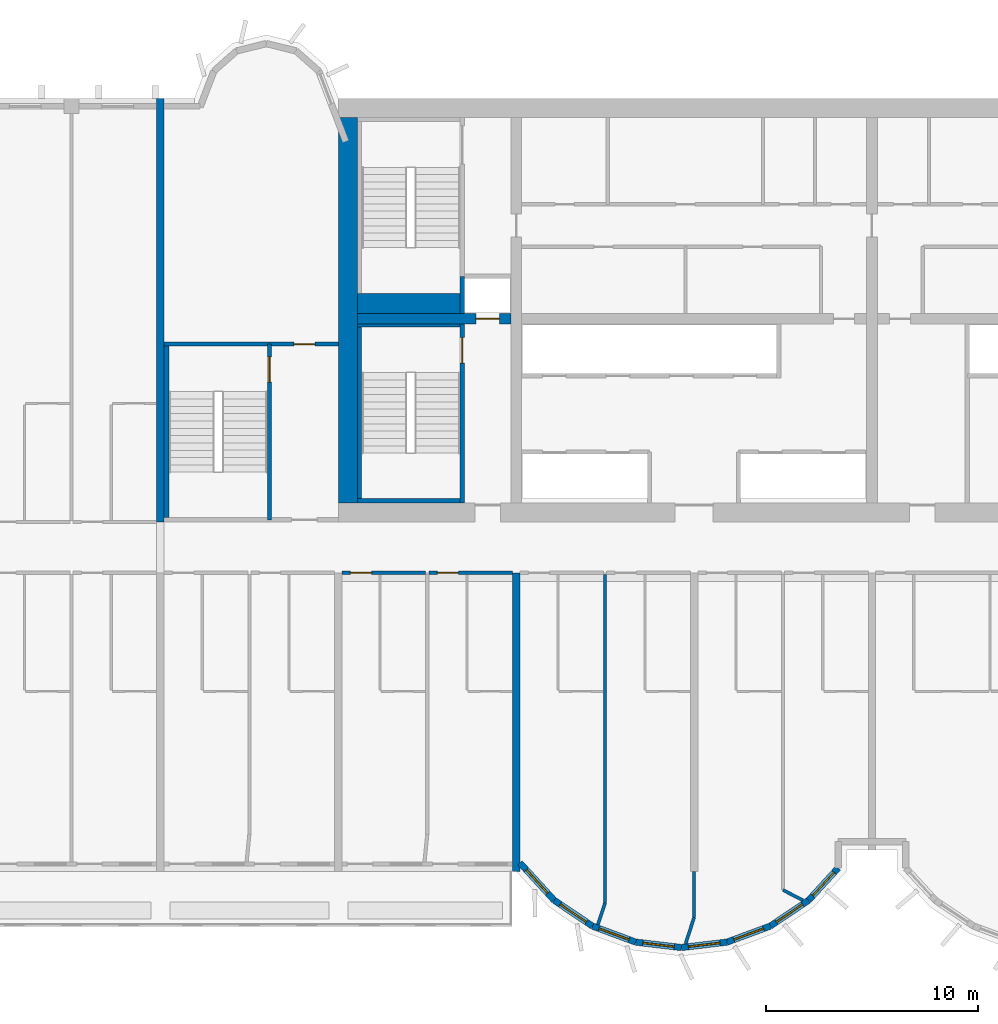
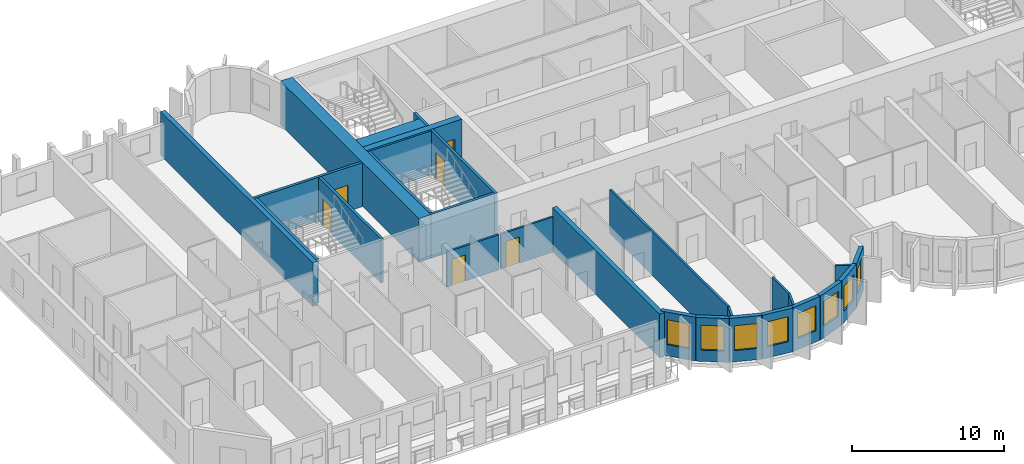
# One storey, part 4 of 14: 28 walls, 8 windows, 6 doors, 14 openings.
"""IFC4 building model written with IfcOpenShell, lengths in metres."""

from ifc_helpers import new_model, si_unit, direction, frame, frame_2d, origin, place, context, subcontext, project, spatial, rectangle, extrude, source, transform, mapped, material, layer, layer_set, type_object, element, fill, save


model = new_model("IFC4")

# Units and contexts
model_context = context("Model", 3, precision=1e-05, world=origin(), true_north=direction((0.0, 1.0)))
body_context = subcontext(model_context, "Body", "Model", "MODEL_VIEW")
ifc_project = project(units=[si_unit("LENGTHUNIT", "METRE"), si_unit("AREAUNIT", "SQUARE_METRE"), si_unit("VOLUMEUNIT", "CUBIC_METRE"), si_unit("PLANEANGLEUNIT", "RADIAN"), si_unit("MASSUNIT", "GRAM", prefix="KILO")], contexts=[model_context])

# Site, building, storey
site_placement = place(None, origin())
site = spatial("IfcSite", under=ifc_project, at=site_placement, CompositionType="ELEMENT")
building_placement = place(site_placement, origin())
building = spatial("IfcBuilding", under=site, at=building_placement, Name="Vanashikhar Sky Hotel", CompositionType="ELEMENT")
storey_placement = place(building_placement, frame((0.0, 0.0, 102.800048828125)))
storey = spatial("IfcBuildingStorey", under=building, at=storey_placement, Name="L24", CompositionType="ELEMENT", Elevation=102.800048828125)

# Wall
ifc_material_1 = material(Name="Concrete M70", Category="concrete")
ifc_layer_1 = layer(ifc_material_1, 0.89990234375)
ifc_layer_set_1 = layer_set([ifc_layer_1], Name="RC core shell wall 900 Concrete M70")
wall_type_1 = type_object("IfcWallType", Name="RC core shell wall 900 Concrete M70", PredefinedType="SHEAR", material=ifc_layer_set_1)
shared_shape_1 = source(origin(), body_context, "Body", "SweptSolid", [
    extrude(rectangle(XDim=18.2001953125, YDim=0.89990234375, at=frame_2d((9.10009765625, 0.0))), origin(), (0.0, 0.0, 1.0), 3.52001953125),
])
wall_1_placement = place(storey_placement, frame((25.64990234375, 22.89990234375, 0.0), z_axis=(0.0, 0.0, 1.0), x_axis=(0.0, 1.0, 0.0)))
element("IfcWall", 1, at=wall_1_placement, inside=storey, type_object=wall_type_1, Name="KW-L24-KW", PredefinedType="SHEAR", context=body_context, shape_type="MappedRepresentation", body=[
    mapped(shared_shape_1, transform((0.0, 0.0, 0.0), scale=1.0)),
])

# Wall, opening, door
ifc_layer_2 = layer(ifc_material_1, 0.5)
ifc_layer_set_2 = layer_set([ifc_layer_2], Name="RC core inner wall 500 Concrete M70")
wall_type_2 = type_object("IfcWallType", Name="RC core inner wall 500 Concrete M70", PredefinedType="SHEAR", material=ifc_layer_set_2)
shared_shape_2 = source(origin(), body_context, "Body", "SweptSolid", [
    extrude(rectangle(XDim=7.25, YDim=0.5, at=frame_2d((3.625, 0.0))), origin(), (0.0, 0.0, 1.0), 3.52001953125),
])
wall_2_placement = place(storey_placement, frame((26.10009765625, 31.60009765625, 0.0), z_axis=(0.0, 0.0, 1.0), x_axis=(1.0, 0.0, 0.0)))
wall_2 = element("IfcWall", 2, at=wall_2_placement, inside=storey, type_object=wall_type_2, Name="KW-L24-KY1", PredefinedType="SHEAR", context=body_context, shape_type="MappedRepresentation", body=[
    mapped(shared_shape_2, transform((0.0, 0.0, 0.0), scale=1.0)),
])
shared_shape_3 = source(origin(), body_context, "Body", "SweptSolid", [
    extrude(rectangle(XDim=1.10009765625, YDim=2.10009765625, at=frame_2d((0.550048828125, 1.050048828125))), frame((0.0, 0.260009765625, 0.0), z_axis=(0.0, -1.0, 0.0), x_axis=(1.0, 0.0, 0.0)), (0.0, 0.0, 1.0), 0.52001953125),
])
opening_1_placement = place(wall_2_placement, frame((5.60009765625, 0.0, 0.0)))
opening_1 = element("IfcOpeningElement", 3, at=opening_1_placement, cuts=wall_2, Name="Opening LD", PredefinedType="OPENING", context=body_context, shape_type="MappedRepresentation", body=[
    mapped(shared_shape_3, transform((0.0, 0.0, 0.0), scale=1.0)),
])
ifc_material_2 = material(Name="Stainless steel", Category="steel")
door_type_1 = type_object("IfcDoorType", Name="Lift landing door 1100", OperationType="NOTDEFINED", PredefinedType="DOOR", material=ifc_material_2)
shared_shape_4 = source(origin(), body_context, "Body", "SweptSolid", [
    extrude(rectangle(XDim=1.10009765625, YDim=2.10009765625, at=frame_2d((0.550048828125, 1.050048828125))), frame((0.0, 0.02490234375, 0.0), z_axis=(0.0, -1.0, 0.0), x_axis=(1.0, 0.0, 0.0)), (0.0, 0.0, 1.0), 0.050048828125),
])
door_1_placement = place(opening_1_placement, origin())
door_1 = element("IfcDoor", 4, at=door_1_placement, inside=storey, type_object=door_type_1, Name="Lift landing door 1100", OperationType="SLIDING_TO_RIGHT", OverallHeight=2.10009765625, OverallWidth=1.10009765625, PredefinedType="DOOR", context=body_context, shape_type="MappedRepresentation", body=[
    mapped(shared_shape_4, transform((0.0, 0.0, 0.0), scale=1.0)),
])
fill(opening_1, door_1)

# Walls
ifc_layer_3 = layer(ifc_material_1, 0.35009765625)
ifc_layer_set_3 = layer_set([ifc_layer_3], Name="RC shear wall 350 Concrete M70")
wall_type_3 = type_object("IfcWallType", Name="RC shear wall 350 Concrete M70", PredefinedType="SHEAR", material=ifc_layer_set_3)
shared_shape_5 = source(origin(), body_context, "Body", "SweptSolid", [
    extrude(rectangle(XDim=14.10009765625, YDim=0.35009765625, at=frame_2d((7.050048828125, 0.0))), origin(), (0.0, 0.0, 1.0), 3.52001953125),
])
wall_3_placement = place(storey_placement, frame((33.60009765625, 5.5, 0.0), z_axis=(0.0, 0.0, 1.0), x_axis=(0.0, 1.0, 0.0)))
element("IfcWall", 5, at=wall_3_placement, inside=storey, type_object=wall_type_3, Name="CW-L24-XW05-1", PredefinedType="SHEAR", context=body_context, shape_type="MappedRepresentation", body=[
    mapped(shared_shape_5, transform((0.0, 0.0, 0.0), scale=1.0)),
])
shared_shape_6 = source(origin(), body_context, "Body", "SweptSolid", [
    extrude(rectangle(XDim=20.0, YDim=0.35009765625, at=frame_2d((10.0, 0.0))), origin(), (0.0, 0.0, 1.0), 3.52001953125),
])
wall_4_placement = place(storey_placement, frame((16.800048828125, 22.0, 0.0), z_axis=(0.0, 0.0, 1.0), x_axis=(0.0, 1.0, 0.0)))
element("IfcWall", 6, at=wall_4_placement, inside=storey, type_object=wall_type_3, Name="CW-L24-XW03-2", PredefinedType="SHEAR", context=body_context, shape_type="MappedRepresentation", body=[
    mapped(shared_shape_6, transform((0.0, 0.0, 0.0), scale=1.0)),
])

# Wall, opening, window
ifc_material_3 = material(Name="Concrete M50", Category="concrete")
ifc_layer_4 = layer(ifc_material_3, 0.300048828125)
ifc_layer_set_4 = layer_set([ifc_layer_4], Name="Lobe wall 300")
wall_type_4 = type_object("IfcWallType", Name="Lobe wall 300", PredefinedType="SOLIDWALL", material=ifc_layer_set_4)
shared_shape_7 = source(origin(), body_context, "Body", "SweptSolid", [
    extrude(rectangle(XDim=2.398193359375, YDim=0.300048828125, at=frame_2d((1.19921875, 0.0))), origin(), (0.0, 0.0, 1.0), 3.52001953125),
])
wall_5_placement = place(storey_placement, frame((33.776123046875, 5.89990234375, 0.0), z_axis=(0.0, 0.0, 1.0), x_axis=(0.675374189419, -0.737475222815, 0.0)))
wall_5 = element("IfcWall", 7, at=wall_5_placement, inside=storey, type_object=wall_type_4, Name="Lobe wall", PredefinedType="SOLIDWALL", context=body_context, shape_type="MappedRepresentation", body=[
    mapped(shared_shape_7, transform((0.0, 0.0, 0.0), scale=1.0)),
])
shared_shape_8 = source(origin(), body_context, "Body", "SweptSolid", [
    extrude(rectangle(XDim=1.5, YDim=2.0, at=frame_2d((0.75, 1.0))), frame((0.0, 0.16015625, 0.0), z_axis=(0.0, -1.0, 0.0), x_axis=(1.0, 0.0, 0.0)), (0.0, 0.0, 1.0), 0.320068359375),
])
opening_2_placement = place(wall_5_placement, frame((0.44921875, 0.0, 0.89990234375)))
opening_2 = element("IfcOpeningElement", 8, at=opening_2_placement, cuts=wall_5, Name="Opening WN-2", PredefinedType="OPENING", context=body_context, shape_type="MappedRepresentation", body=[
    mapped(shared_shape_8, transform((0.0, 0.0, 0.0), scale=1.0)),
])
ifc_material_4 = material(Name="Glass", Category="glass")
window_type = type_object("IfcWindowType", Name="Lobe window 1500 x 2000", PartitioningType="SINGLE_PANEL", PredefinedType="WINDOW", material=ifc_material_4)
shared_shape_9 = source(origin(), body_context, "Body", "SweptSolid", [
    extrude(rectangle(XDim=1.5, YDim=2.0, at=frame_2d((0.75, 1.0))), frame((0.0, 0.030029296875, 0.0), z_axis=(0.0, -1.0, 0.0), x_axis=(1.0, 0.0, 0.0)), (0.0, 0.0, 1.0), 0.06005859375),
])
window_1_placement = place(opening_2_placement, origin())
window_1 = element("IfcWindow", 9, at=window_1_placement, inside=storey, type_object=window_type, Name="Window WN-2", OverallHeight=2.0, OverallWidth=1.5, PartitioningType="SINGLE_PANEL", PredefinedType="WINDOW", context=body_context, shape_type="MappedRepresentation", body=[
    mapped(shared_shape_9, transform((0.0, 0.0, 0.0), scale=1.0)),
])
fill(opening_2, window_1)

shared_shape_10 = source(origin(), body_context, "Body", "SweptSolid", [
    extrude(rectangle(XDim=2.17578125, YDim=0.300048828125, at=frame_2d((1.087890625, 0.0))), origin(), (0.0, 0.0, 1.0), 3.52001953125),
])
wall_6_placement = place(storey_placement, frame((35.395751953125, 4.13134765625, 0.0), z_axis=(0.0, 0.0, 1.0), x_axis=(0.829590746428, -0.558371913192, 0.0)))
wall_6 = element("IfcWall", 10, at=wall_6_placement, inside=storey, type_object=wall_type_4, Name="Lobe wall", PredefinedType="SOLIDWALL", context=body_context, shape_type="MappedRepresentation", body=[
    mapped(shared_shape_10, transform((0.0, 0.0, 0.0), scale=1.0)),
])
opening_3_placement = place(wall_6_placement, frame((0.337890625, 0.0, 0.89990234375)))
opening_3 = element("IfcOpeningElement", 11, at=opening_3_placement, cuts=wall_6, Name="Opening WN-2", PredefinedType="OPENING", context=body_context, shape_type="MappedRepresentation", body=[
    mapped(shared_shape_8, transform((0.0, 0.0, 0.0), scale=1.0)),
])
window_2_placement = place(opening_3_placement, origin())
window_2 = element("IfcWindow", 12, at=window_2_placement, inside=storey, type_object=window_type, Name="Window WN-2", OverallHeight=2.0, OverallWidth=1.5, PartitioningType="SINGLE_PANEL", PredefinedType="WINDOW", context=body_context, shape_type="MappedRepresentation", body=[
    mapped(shared_shape_9, transform((0.0, 0.0, 0.0), scale=1.0)),
])
fill(opening_3, window_2)

wall_7_placement = place(storey_placement, frame((37.20068359375, 2.91650390625, 0.0), z_axis=(0.0, 0.0, 1.0), x_axis=(0.93754555999, -0.347862505801, 0.0)))
wall_7 = element("IfcWall", 13, at=wall_7_placement, inside=storey, type_object=wall_type_4, Name="Lobe wall", PredefinedType="SOLIDWALL", context=body_context, shape_type="MappedRepresentation", body=[
    mapped(shared_shape_10, transform((0.0, 0.0, 0.0), scale=1.0)),
])
opening_4_placement = place(wall_7_placement, frame((0.337890625, 0.0, 0.89990234375)))
opening_4 = element("IfcOpeningElement", 14, at=opening_4_placement, cuts=wall_7, Name="Opening WN-2", PredefinedType="OPENING", context=body_context, shape_type="MappedRepresentation", body=[
    mapped(shared_shape_8, transform((0.0, 0.0, 0.0), scale=1.0)),
])
window_3_placement = place(opening_4_placement, origin())
window_3 = element("IfcWindow", 15, at=window_3_placement, inside=storey, type_object=window_type, Name="Window WN-2", OverallHeight=2.0, OverallWidth=1.5, PartitioningType="SINGLE_PANEL", PredefinedType="WINDOW", context=body_context, shape_type="MappedRepresentation", body=[
    mapped(shared_shape_9, transform((0.0, 0.0, 0.0), scale=1.0)),
])
fill(opening_4, window_3)

wall_8_placement = place(storey_placement, frame((45.59912109375, 2.91650390625, 0.0), z_axis=(0.0, 0.0, 1.0), x_axis=(0.829625727223, 0.558319937607, 0.0)))
wall_8 = element("IfcWall", 16, at=wall_8_placement, inside=storey, type_object=wall_type_4, Name="Lobe wall", PredefinedType="SOLIDWALL", context=body_context, shape_type="MappedRepresentation", body=[
    mapped(shared_shape_10, transform((0.0, 0.0, 0.0), scale=1.0)),
])
opening_5_placement = place(wall_8_placement, frame((0.337890625, 0.0, 0.89990234375)))
opening_5 = element("IfcOpeningElement", 17, at=opening_5_placement, cuts=wall_8, Name="Opening WN-2", PredefinedType="OPENING", context=body_context, shape_type="MappedRepresentation", body=[
    mapped(shared_shape_8, transform((0.0, 0.0, 0.0), scale=1.0)),
])
window_4_placement = place(opening_5_placement, origin())
window_4 = element("IfcWindow", 18, at=window_4_placement, inside=storey, type_object=window_type, Name="Window WN-2", OverallHeight=2.0, OverallWidth=1.5, PartitioningType="SINGLE_PANEL", PredefinedType="WINDOW", context=body_context, shape_type="MappedRepresentation", body=[
    mapped(shared_shape_9, transform((0.0, 0.0, 0.0), scale=1.0)),
])
fill(opening_5, window_4)

shared_shape_11 = source(origin(), body_context, "Body", "SweptSolid", [
    extrude(rectangle(XDim=2.174560546875, YDim=0.300048828125, at=frame_2d((1.08740234375, 0.0))), origin(), (0.0, 0.0, 1.0), 3.52001953125),
])
wall_9_placement = place(storey_placement, frame((39.240478515625, 2.15966796875, 0.0), z_axis=(0.0, 0.0, 1.0), x_axis=(0.993001132889, -0.118104826659, 0.0)))
wall_9 = element("IfcWall", 19, at=wall_9_placement, inside=storey, type_object=wall_type_4, Name="Lobe wall", PredefinedType="SOLIDWALL", context=body_context, shape_type="MappedRepresentation", body=[
    mapped(shared_shape_11, transform((0.0, 0.0, 0.0), scale=1.0)),
])
opening_6_placement = place(wall_9_placement, frame((0.33740234375, 0.0, 0.89990234375)))
opening_6 = element("IfcOpeningElement", 20, at=opening_6_placement, cuts=wall_9, Name="Opening WN-2", PredefinedType="OPENING", context=body_context, shape_type="MappedRepresentation", body=[
    mapped(shared_shape_8, transform((0.0, 0.0, 0.0), scale=1.0)),
])
window_5_placement = place(opening_6_placement, origin())
window_5 = element("IfcWindow", 21, at=window_5_placement, inside=storey, type_object=window_type, Name="Window WN-2", OverallHeight=2.0, OverallWidth=1.5, PartitioningType="SINGLE_PANEL", PredefinedType="WINDOW", context=body_context, shape_type="MappedRepresentation", body=[
    mapped(shared_shape_9, transform((0.0, 0.0, 0.0), scale=1.0)),
])
fill(opening_6, window_5)

shared_shape_12 = source(origin(), body_context, "Body", "SweptSolid", [
    extrude(rectangle(XDim=2.1748046875, YDim=0.300048828125, at=frame_2d((1.08740234375, 0.0))), origin(), (0.0, 0.0, 1.0), 3.52001953125),
])
wall_10_placement = place(storey_placement, frame((41.39990234375, 1.90283203125, 0.0), z_axis=(0.0, 0.0, 1.0), x_axis=(0.993002698611, 0.118091661648, 0.0)))
wall_10 = element("IfcWall", 22, at=wall_10_placement, inside=storey, type_object=wall_type_4, Name="Lobe wall", PredefinedType="SOLIDWALL", context=body_context, shape_type="MappedRepresentation", body=[
    mapped(shared_shape_12, transform((0.0, 0.0, 0.0), scale=1.0)),
])
opening_7_placement = place(wall_10_placement, frame((0.33740234375, 0.0, 0.89990234375)))
opening_7 = element("IfcOpeningElement", 23, at=opening_7_placement, cuts=wall_10, Name="Opening WN-2", PredefinedType="OPENING", context=body_context, shape_type="MappedRepresentation", body=[
    mapped(shared_shape_8, transform((0.0, 0.0, 0.0), scale=1.0)),
])
window_6_placement = place(opening_7_placement, origin())
window_6 = element("IfcWindow", 24, at=window_6_placement, inside=storey, type_object=window_type, Name="Window WN-2", OverallHeight=2.0, OverallWidth=1.5, PartitioningType="SINGLE_PANEL", PredefinedType="WINDOW", context=body_context, shape_type="MappedRepresentation", body=[
    mapped(shared_shape_9, transform((0.0, 0.0, 0.0), scale=1.0)),
])
fill(opening_7, window_6)

shared_shape_13 = source(origin(), body_context, "Body", "SweptSolid", [
    extrude(rectangle(XDim=2.175537109375, YDim=0.300048828125, at=frame_2d((1.087890625, 0.0))), origin(), (0.0, 0.0, 1.0), 3.52001953125),
])
wall_11_placement = place(storey_placement, frame((43.5595703125, 2.15966796875, 0.0), z_axis=(0.0, 0.0, 1.0), x_axis=(0.937531979054, 0.347899106424, 0.0)))
wall_11 = element("IfcWall", 25, at=wall_11_placement, inside=storey, type_object=wall_type_4, Name="Lobe wall", PredefinedType="SOLIDWALL", context=body_context, shape_type="MappedRepresentation", body=[
    mapped(shared_shape_13, transform((0.0, 0.0, 0.0), scale=1.0)),
])
opening_8_placement = place(wall_11_placement, frame((0.337890625, 0.0, 0.89990234375)))
opening_8 = element("IfcOpeningElement", 26, at=opening_8_placement, cuts=wall_11, Name="Opening WN-2", PredefinedType="OPENING", context=body_context, shape_type="MappedRepresentation", body=[
    mapped(shared_shape_8, transform((0.0, 0.0, 0.0), scale=1.0)),
])
window_7_placement = place(opening_8_placement, origin())
window_7 = element("IfcWindow", 27, at=window_7_placement, inside=storey, type_object=window_type, Name="Window WN-2", OverallHeight=2.0, OverallWidth=1.5, PartitioningType="SINGLE_PANEL", PredefinedType="WINDOW", context=body_context, shape_type="MappedRepresentation", body=[
    mapped(shared_shape_9, transform((0.0, 0.0, 0.0), scale=1.0)),
])
fill(opening_8, window_7)

shared_shape_14 = source(origin(), body_context, "Body", "SweptSolid", [
    extrude(rectangle(XDim=2.066650390625, YDim=0.300048828125, at=frame_2d((1.033203125, 0.0))), origin(), (0.0, 0.0, 1.0), 3.52001953125),
])
wall_12_placement = place(storey_placement, frame((47.404296875, 4.13134765625, 0.0), z_axis=(0.0, 0.0, 1.0), x_axis=(0.675355439877, 0.737492393065, 0.0)))
wall_12 = element("IfcWall", 28, at=wall_12_placement, inside=storey, type_object=wall_type_4, Name="Lobe wall", PredefinedType="SOLIDWALL", context=body_context, shape_type="MappedRepresentation", body=[
    mapped(shared_shape_14, transform((0.0, 0.0, 0.0), scale=1.0)),
])
opening_9_placement = place(wall_12_placement, frame((0.283447265625, 0.0, 0.89990234375)))
opening_9 = element("IfcOpeningElement", 29, at=opening_9_placement, cuts=wall_12, Name="Opening WN-2", PredefinedType="OPENING", context=body_context, shape_type="MappedRepresentation", body=[
    mapped(shared_shape_8, transform((0.0, 0.0, 0.0), scale=1.0)),
])
window_8_placement = place(opening_9_placement, origin())
window_8 = element("IfcWindow", 30, at=window_8_placement, inside=storey, type_object=window_type, Name="Window WN-2", OverallHeight=2.0, OverallWidth=1.5, PartitioningType="SINGLE_PANEL", PredefinedType="WINDOW", context=body_context, shape_type="MappedRepresentation", body=[
    mapped(shared_shape_9, transform((0.0, 0.0, 0.0), scale=1.0)),
])
fill(opening_9, window_8)

# Wall, opening, door
ifc_layer_5 = layer(ifc_material_3, 0.199951171875)
ifc_layer_set_5 = layer_set([ifc_layer_5], Name="Stair wall 200")
wall_type_5 = type_object("IfcWallType", Name="Stair wall 200", PredefinedType="SOLIDWALL", material=ifc_layer_set_5)
shared_shape_15 = source(origin(), body_context, "Body", "SweptSolid", [
    extrude(rectangle(XDim=8.2998046875, YDim=0.199951171875, at=frame_2d((4.14990234375, 0.0))), origin(), (0.0, 0.0, 1.0), 3.52001953125),
])
wall_13_placement = place(storey_placement, frame((21.949951171875, 22.10009765625, 0.0), z_axis=(0.0, 0.0, 1.0), x_axis=(0.0, 1.0, 0.0)))
wall_13 = element("IfcWall", 31, at=wall_13_placement, inside=storey, type_object=wall_type_5, Name="Stair wall 200", PredefinedType="SOLIDWALL", context=body_context, shape_type="MappedRepresentation", body=[
    mapped(shared_shape_15, transform((0.0, 0.0, 0.0), scale=1.0)),
])
shared_shape_16 = source(origin(), body_context, "Body", "SweptSolid", [
    extrude(rectangle(XDim=1.199951171875, YDim=2.10009765625, at=frame_2d((0.60009765625, 1.050048828125))), frame((0.0, 0.10986328125, 0.0), z_axis=(0.0, -1.0, 0.0), x_axis=(1.0, 0.0, 0.0)), (0.0, 0.0, 1.0), 0.219970703125),
])
opening_10_placement = place(wall_13_placement, frame((6.5, 0.0, 0.0)))
opening_10 = element("IfcOpeningElement", 32, at=opening_10_placement, cuts=wall_13, Name="Opening DC-1", PredefinedType="OPENING", context=body_context, shape_type="MappedRepresentation", body=[
    mapped(shared_shape_16, transform((0.0, 0.0, 0.0), scale=1.0)),
])
ifc_material_5 = material(Name="Steel", Category="steel")
door_type_2 = type_object("IfcDoorType", Name="Stair door 1200 FD120", OperationType="NOTDEFINED", PredefinedType="DOOR", material=ifc_material_5)
shared_shape_17 = source(origin(), body_context, "Body", "SweptSolid", [
    extrude(rectangle(XDim=1.199951171875, YDim=2.10009765625, at=frame_2d((0.60009765625, 1.050048828125))), frame((0.0, 0.02490234375, 0.0), z_axis=(0.0, -1.0, 0.0), x_axis=(1.0, 0.0, 0.0)), (0.0, 0.0, 1.0), 0.050048828125),
])
door_2_placement = place(opening_10_placement, origin())
door_2 = element("IfcDoor", 33, at=door_2_placement, inside=storey, type_object=door_type_2, Name="Stair door 1200 FD120", OperationType="SINGLE_SWING_LEFT", OverallHeight=2.10009765625, OverallWidth=1.199951171875, PredefinedType="DOOR", context=body_context, shape_type="MappedRepresentation", body=[
    mapped(shared_shape_17, transform((0.0, 0.0, 0.0), scale=1.0)),
])
fill(opening_10, door_2)

shared_shape_18 = source(origin(), body_context, "Body", "SweptSolid", [
    extrude(rectangle(XDim=8.4501953125, YDim=0.199951171875, at=frame_2d((4.22509765625, 0.0))), origin(), (0.0, 0.0, 1.0), 3.52001953125),
])
wall_14_placement = place(storey_placement, frame((31.050048828125, 22.89990234375, 0.0), z_axis=(0.0, 0.0, 1.0), x_axis=(0.0, 1.0, 0.0)))
wall_14 = element("IfcWall", 34, at=wall_14_placement, inside=storey, type_object=wall_type_5, Name="Stair wall 200", PredefinedType="SOLIDWALL", context=body_context, shape_type="MappedRepresentation", body=[
    mapped(shared_shape_18, transform((0.0, 0.0, 0.0), scale=1.0)),
])
opening_11_placement = place(wall_14_placement, frame((6.60009765625, 0.0, 0.0)))
opening_11 = element("IfcOpeningElement", 35, at=opening_11_placement, cuts=wall_14, Name="Opening DC-1", PredefinedType="OPENING", context=body_context, shape_type="MappedRepresentation", body=[
    mapped(shared_shape_16, transform((0.0, 0.0, 0.0), scale=1.0)),
])
door_3_placement = place(opening_11_placement, origin())
door_3 = element("IfcDoor", 36, at=door_3_placement, inside=storey, type_object=door_type_2, Name="Stair door 1200 FD120", OperationType="SINGLE_SWING_LEFT", OverallHeight=2.10009765625, OverallWidth=1.199951171875, PredefinedType="DOOR", context=body_context, shape_type="MappedRepresentation", body=[
    mapped(shared_shape_17, transform((0.0, 0.0, 0.0), scale=1.0)),
])
fill(opening_11, door_3)

# Wall
ifc_material_6 = material(Name="Concrete M40", Category="concrete")
ifc_layer_6 = layer(ifc_material_6, 0.199951171875)
ifc_layer_set_6 = layer_set([ifc_layer_6], Name="Shaft wall 200")
wall_type_6 = type_object("IfcWallType", Name="Shaft wall 200", PredefinedType="SOLIDWALL", material=ifc_layer_set_6)
shared_shape_19 = source(origin(), body_context, "Body", "SweptSolid", [
    extrude(rectangle(XDim=1.75, YDim=0.199951171875, at=frame_2d((0.875, 0.0))), origin(), (0.0, 0.0, 1.0), 3.52001953125),
])
wall_15_placement = place(storey_placement, frame((31.050048828125, 31.85009765625, 0.0), z_axis=(0.0, 0.0, 1.0), x_axis=(0.0, 1.0, 0.0)))
element("IfcWall", 37, at=wall_15_placement, inside=storey, type_object=wall_type_6, Name="Shaft wall 200", PredefinedType="SOLIDWALL", context=body_context, shape_type="MappedRepresentation", body=[
    mapped(shared_shape_19, transform((0.0, 0.0, 0.0), scale=1.0)),
])

# Wall, opening, door
shared_shape_20 = source(origin(), body_context, "Body", "SweptSolid", [
    extrude(rectangle(XDim=8.224853515625, YDim=0.199951171875, at=frame_2d((4.1123046875, 0.0))), origin(), (0.0, 0.0, 1.0), 3.52001953125),
])
wall_16_placement = place(storey_placement, frame((16.97509765625, 30.39990234375, 0.0), z_axis=(0.0, 0.0, 1.0), x_axis=(1.0, 0.0, 0.0)))
wall_16 = element("IfcWall", 38, at=wall_16_placement, inside=storey, type_object=wall_type_5, Name="Stair wall 200", PredefinedType="SOLIDWALL", context=body_context, shape_type="MappedRepresentation", body=[
    mapped(shared_shape_20, transform((0.0, 0.0, 0.0), scale=1.0)),
])
shared_shape_21 = source(origin(), body_context, "Body", "SweptSolid", [
    extrude(rectangle(XDim=1.0, YDim=2.10009765625, at=frame_2d((0.5, 1.050048828125))), frame((0.0, 0.10986328125, 0.0), z_axis=(0.0, -1.0, 0.0), x_axis=(1.0, 0.0, 0.0)), (0.0, 0.0, 1.0), 0.219970703125),
])
opening_12_placement = place(wall_16_placement, frame((6.125, 0.0, 0.0)))
opening_12 = element("IfcOpeningElement", 39, at=opening_12_placement, cuts=wall_16, Name="Opening DC-6", PredefinedType="OPENING", context=body_context, shape_type="MappedRepresentation", body=[
    mapped(shared_shape_21, transform((0.0, 0.0, 0.0), scale=1.0)),
])
door_type_3 = type_object("IfcDoorType", Name="Pocket door 1000 FD60", OperationType="NOTDEFINED", PredefinedType="DOOR", material=ifc_material_5)
shared_shape_22 = source(origin(), body_context, "Body", "SweptSolid", [
    extrude(rectangle(XDim=1.0, YDim=2.10009765625, at=frame_2d((0.5, 1.050048828125))), frame((0.0, 0.02490234375, 0.0), z_axis=(0.0, -1.0, 0.0), x_axis=(1.0, 0.0, 0.0)), (0.0, 0.0, 1.0), 0.050048828125),
])
door_4_placement = place(opening_12_placement, origin())
door_4 = element("IfcDoor", 40, at=door_4_placement, inside=storey, type_object=door_type_3, Name="Pocket door 1000 FD60", OperationType="SINGLE_SWING_LEFT", OverallHeight=2.10009765625, OverallWidth=1.0, PredefinedType="DOOR", context=body_context, shape_type="MappedRepresentation", body=[
    mapped(shared_shape_22, transform((0.0, 0.0, 0.0), scale=1.0)),
])
fill(opening_12, door_4)

# Walls
ifc_layer_7 = layer(ifc_material_3, 0.199951171875)
ifc_layer_set_7 = layer_set([ifc_layer_7], Name="Stair infill wall 200")
wall_type_7 = type_object("IfcWallType", Name="Stair infill wall 200", PredefinedType="SOLIDWALL", material=ifc_layer_set_7)
shared_shape_23 = source(origin(), body_context, "Body", "SweptSolid", [
    extrude(rectangle(XDim=4.849853515625, YDim=0.199951171875, at=frame_2d((2.4248046875, 0.0))), origin(), (0.0, 0.0, 1.0), 3.52001953125),
])
wall_17_placement = place(storey_placement, frame((26.10009765625, 23.0, 0.0), z_axis=(0.0, 0.0, 1.0), x_axis=(1.0, 0.0, 0.0)))
element("IfcWall", 41, at=wall_17_placement, inside=storey, type_object=wall_type_7, Name="Stair infill wall 200", PredefinedType="SOLIDWALL", context=body_context, shape_type="MappedRepresentation", body=[
    mapped(shared_shape_23, transform((0.0, 0.0, 0.0), scale=1.0)),
])
ifc_layer_8 = layer(ifc_material_3, 0.14990234375)
ifc_layer_set_8 = layer_set([ifc_layer_8], Name="Stair infill wall 150")
wall_type_8 = type_object("IfcWallType", Name="Stair infill wall 150", PredefinedType="SOLIDWALL", material=ifc_layer_set_8)
shared_shape_24 = source(origin(), body_context, "Body", "SweptSolid", [
    extrude(rectangle(XDim=4.849853515625, YDim=0.14990234375, at=frame_2d((2.4248046875, 0.0))), origin(), (0.0, 0.0, 1.0), 3.52001953125),
])
wall_18_placement = place(storey_placement, frame((26.10009765625, 31.27490234375, 0.0), z_axis=(0.0, 0.0, 1.0), x_axis=(1.0, 0.0, 0.0)))
element("IfcWall", 42, at=wall_18_placement, inside=storey, type_object=wall_type_8, Name="Stair infill wall 150", PredefinedType="SOLIDWALL", context=body_context, shape_type="MappedRepresentation", body=[
    mapped(shared_shape_24, transform((0.0, 0.0, 0.0), scale=1.0)),
])
shared_shape_25 = source(origin(), body_context, "Body", "SweptSolid", [
    extrude(rectangle(XDim=8.099853515625, YDim=0.199951171875, at=frame_2d((4.0498046875, 0.0))), origin(), (0.0, 0.0, 1.0), 3.52001953125),
])
wall_19_placement = place(storey_placement, frame((26.199951171875, 23.10009765625, 0.0), z_axis=(0.0, 0.0, 1.0), x_axis=(0.0, 1.0, 0.0)))
element("IfcWall", 43, at=wall_19_placement, inside=storey, type_object=wall_type_7, Name="Stair infill wall 200", PredefinedType="SOLIDWALL", context=body_context, shape_type="MappedRepresentation", body=[
    mapped(shared_shape_25, transform((0.0, 0.0, 0.0), scale=1.0)),
])
ifc_layer_9 = layer(ifc_material_3, 0.22509765625)
ifc_layer_set_9 = layer_set([ifc_layer_9], Name="Stair infill wall 225")
wall_type_9 = type_object("IfcWallType", Name="Stair infill wall 225", PredefinedType="SOLIDWALL", material=ifc_layer_set_9)
shared_shape_26 = source(origin(), body_context, "Body", "SweptSolid", [
    extrude(rectangle(XDim=8.10009765625, YDim=0.22509765625, at=frame_2d((4.050048828125, 0.0))), origin(), (0.0, 0.0, 1.0), 3.52001953125),
])
wall_20_placement = place(storey_placement, frame((17.0869140625, 22.199951171875, 0.0), z_axis=(0.0, 0.0, 1.0), x_axis=(0.0, 1.0, 0.0)))
element("IfcWall", 44, at=wall_20_placement, inside=storey, type_object=wall_type_9, Name="Stair infill wall 225", PredefinedType="SOLIDWALL", context=body_context, shape_type="MappedRepresentation", body=[
    mapped(shared_shape_26, transform((0.0, 0.0, 0.0), scale=1.0)),
])
ifc_layer_10 = layer(ifc_material_3, 0.949951171875)
ifc_layer_set_10 = layer_set([ifc_layer_10], Name="Stair infill wall 950")
wall_type_10 = type_object("IfcWallType", Name="Stair infill wall 950", PredefinedType="SOLIDWALL", material=ifc_layer_set_10)
shared_shape_27 = source(origin(), body_context, "Body", "SweptSolid", [
    extrude(rectangle(XDim=4.849853515625, YDim=0.949951171875, at=frame_2d((2.4248046875, 0.0))), origin(), (0.0, 0.0, 1.0), 3.52001953125),
])
wall_21_placement = place(storey_placement, frame((26.10009765625, 32.324951171875, 0.0), z_axis=(0.0, 0.0, 1.0), x_axis=(1.0, 0.0, 0.0)))
element("IfcWall", 45, at=wall_21_placement, inside=storey, type_object=wall_type_10, Name="Stair infill wall 950", PredefinedType="SOLIDWALL", context=body_context, shape_type="MappedRepresentation", body=[
    mapped(shared_shape_27, transform((0.0, 0.0, 0.0), scale=1.0)),
])
ifc_material_7 = material(Name="Gypsum plasterboard partition")
ifc_layer_11 = layer(ifc_material_7, 0.14990234375)
ifc_layer_set_11 = layer_set([ifc_layer_11], Name="Corridor and demising partition 150")
wall_type_11 = type_object("IfcWallType", Name="Corridor and demising partition 150", PredefinedType="PARTITIONING", material=ifc_layer_set_11)
shared_shape_28 = source(origin(), body_context, "Body", "SweptSolid", [
    extrude(rectangle(XDim=2.177978515625, YDim=0.14990234375, at=frame_2d((1.0888671875, 0.0))), origin(), (0.0, 0.0, 1.0), 3.52001953125),
])
wall_22_placement = place(storey_placement, frame((42.0, 3.322021484375, 0.0), z_axis=(0.0, 0.0, 1.0), x_axis=(0.0, 1.0, 0.0)))
element("IfcWall", 46, at=wall_22_placement, inside=storey, type_object=wall_type_11, Name="W-L24-PW079", PredefinedType="PARTITIONING", context=body_context, shape_type="MappedRepresentation", body=[
    mapped(shared_shape_28, transform((0.0, 0.0, 0.0), scale=1.0)),
])
shared_shape_29 = source(origin(), body_context, "Body", "SweptSolid", [
    extrude(rectangle(XDim=1.100830078125, YDim=0.14990234375, at=frame_2d((0.55029296875, 0.0))), origin(), (0.0, 0.0, 1.0), 3.52001953125),
])
wall_23_placement = place(storey_placement, frame((37.45703125, 2.98095703125, 0.0), z_axis=(0.0, 0.0, 1.0), x_axis=(0.311567081539, 0.950224159712, 0.0)))
element("IfcWall", 47, at=wall_23_placement, inside=storey, type_object=wall_type_11, Name="W-L24-PW035B0", PredefinedType="PARTITIONING", context=body_context, shape_type="MappedRepresentation", body=[
    mapped(shared_shape_29, transform((0.0, 0.0, 0.0), scale=1.0)),
])
shared_shape_30 = source(origin(), body_context, "Body", "SweptSolid", [
    extrude(rectangle(XDim=1.0576171875, YDim=0.14990234375, at=frame_2d((0.52880859375, 0.0))), origin(), (0.0, 0.0, 1.0), 3.52001953125),
])
wall_24_placement = place(storey_placement, frame((47.139892578125, 4.134033203125, 0.0), z_axis=(0.0, 0.0, 1.0), x_axis=(-0.888723819054, 0.458442988218, 0.0)))
element("IfcWall", 48, at=wall_24_placement, inside=storey, type_object=wall_type_11, Name="W-L24-PW042B0", PredefinedType="PARTITIONING", context=body_context, shape_type="MappedRepresentation", body=[
    mapped(shared_shape_30, transform((0.0, 0.0, 0.0), scale=1.0)),
])
shared_shape_31 = source(origin(), body_context, "Body", "SweptSolid", [
    extrude(rectangle(XDim=1.308349609375, YDim=0.14990234375, at=frame_2d((0.654296875, 0.0))), origin(), (0.0, 0.0, 1.0), 3.52001953125),
])
wall_25_placement = place(storey_placement, frame((41.597900390625, 2.076904296875, 0.0), z_axis=(0.0, 0.0, 1.0), x_axis=(0.307313512187, 0.951608325535, 0.0)))
element("IfcWall", 49, at=wall_25_placement, inside=storey, type_object=wall_type_11, Name="W-L24-PW079B0", PredefinedType="PARTITIONING", context=body_context, shape_type="MappedRepresentation", body=[
    mapped(shared_shape_31, transform((0.0, 0.0, 0.0), scale=1.0)),
])

# Wall, opening, door
shared_shape_32 = source(origin(), body_context, "Body", "SweptSolid", [
    extrude(rectangle(XDim=3.949951171875, YDim=0.14990234375, at=frame_2d((1.97509765625, 0.0))), origin(), (0.0, 0.0, 1.0), 2.820068359375),
])
wall_26_placement = place(storey_placement, frame((25.375, 19.60009765625, 0.0), z_axis=(0.0, 0.0, 1.0), x_axis=(1.0, 0.0, 0.0)))
wall_26 = element("IfcWall", 50, at=wall_26_placement, inside=storey, type_object=wall_type_11, Name="W-L24-PW024", PredefinedType="PARTITIONING", context=body_context, shape_type="MappedRepresentation", body=[
    mapped(shared_shape_32, transform((0.0, 0.0, 0.0), scale=1.0)),
])
shared_shape_33 = source(origin(), body_context, "Body", "SweptSolid", [
    extrude(rectangle(XDim=1.0, YDim=2.10009765625, at=frame_2d((0.5, 1.050048828125))), frame((0.0, 0.0849609375, 0.0), z_axis=(0.0, -1.0, 0.0), x_axis=(1.0, 0.0, 0.0)), (0.0, 0.0, 1.0), 0.169921875),
])
opening_13_placement = place(wall_26_placement, frame((0.39990234375, 0.0, 0.0)))
opening_13 = element("IfcOpeningElement", 51, at=opening_13_placement, cuts=wall_26, Name="Opening D-01", PredefinedType="OPENING", context=body_context, shape_type="MappedRepresentation", body=[
    mapped(shared_shape_33, transform((0.0, 0.0, 0.0), scale=1.0)),
])
ifc_material_8 = material(Name="Timber fire door", Category="wood")
door_type_4 = type_object("IfcDoorType", Name="Guest entry door 1000 FD30S", OperationType="NOTDEFINED", PredefinedType="DOOR", material=ifc_material_8)
door_5_placement = place(opening_13_placement, origin())
door_5 = element("IfcDoor", 52, at=door_5_placement, inside=storey, type_object=door_type_4, Name="D-L24-014", OperationType="SINGLE_SWING_LEFT", OverallHeight=2.10009765625, OverallWidth=1.0, PredefinedType="DOOR", context=body_context, shape_type="MappedRepresentation", body=[
    mapped(shared_shape_22, transform((0.0, 0.0, 0.0), scale=1.0)),
])
fill(opening_13, door_5)

wall_27_placement = place(storey_placement, frame((29.47509765625, 19.60009765625, 0.0), z_axis=(0.0, 0.0, 1.0), x_axis=(1.0, 0.0, 0.0)))
wall_27 = element("IfcWall", 53, at=wall_27_placement, inside=storey, type_object=wall_type_11, Name="W-L24-PW027", PredefinedType="PARTITIONING", context=body_context, shape_type="MappedRepresentation", body=[
    mapped(shared_shape_32, transform((0.0, 0.0, 0.0), scale=1.0)),
])
opening_14_placement = place(wall_27_placement, frame((0.39990234375, 0.0, 0.0)))
opening_14 = element("IfcOpeningElement", 54, at=opening_14_placement, cuts=wall_27, Name="Opening D-01", PredefinedType="OPENING", context=body_context, shape_type="MappedRepresentation", body=[
    mapped(shared_shape_33, transform((0.0, 0.0, 0.0), scale=1.0)),
])
door_6_placement = place(opening_14_placement, origin())
door_6 = element("IfcDoor", 55, at=door_6_placement, inside=storey, type_object=door_type_4, Name="D-L24-016", OperationType="SINGLE_SWING_LEFT", OverallHeight=2.10009765625, OverallWidth=1.0, PredefinedType="DOOR", context=body_context, shape_type="MappedRepresentation", body=[
    mapped(shared_shape_22, transform((0.0, 0.0, 0.0), scale=1.0)),
])
fill(opening_14, door_6)

# Wall
shared_shape_34 = source(origin(), body_context, "Body", "SweptSolid", [
    extrude(rectangle(XDim=15.497802734375, YDim=0.14990234375, at=frame_2d((7.7490234375, 0.0))), origin(), (0.0, 0.0, 1.0), 3.52001953125),
])
wall_28_placement = place(storey_placement, frame((37.800048828125, 4.027099609375, 0.0), z_axis=(0.0, 0.0, 1.0), x_axis=(0.0, 1.0, 0.0)))
element("IfcWall", 56, at=wall_28_placement, inside=storey, type_object=wall_type_11, Name="W-L24-PW035", PredefinedType="PARTITIONING", context=body_context, shape_type="MappedRepresentation", body=[
    mapped(shared_shape_34, transform((0.0, 0.0, 0.0), scale=1.0)),
])

save(model, "model.ifc")
